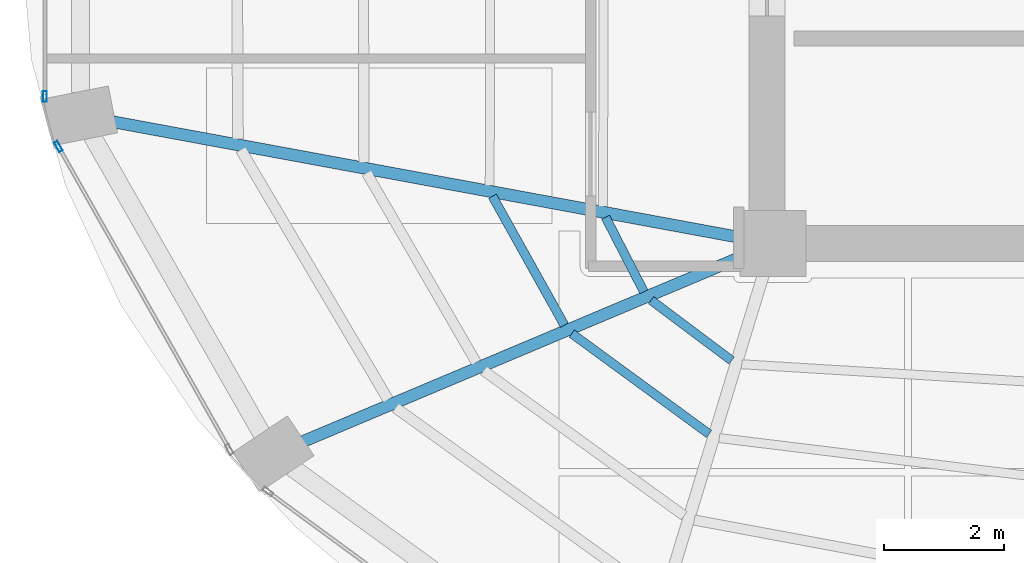
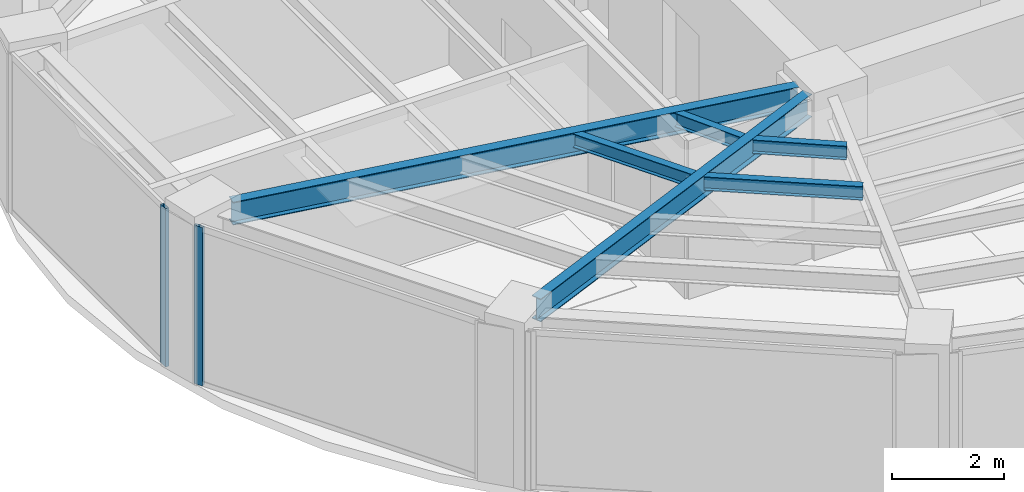
# One storey, part 4 of 22: 6 beams, 2 members, 2 elements without a shape of their own.
"""IFC4 building model written with IfcOpenShell, lengths in metres."""

from ifc_helpers import new_model, si_unit, direction, frame, origin, origin_2d, place, context, subcontext, project, spatial, hollow_rectangle, i_section, extrude, material, layer, layer_set, material_profile, profile_set, type_object, element, aggregate, save


model = new_model("IFC4")

# Units and contexts
model_context = context("Model", 3, precision=1e-05, world=origin(), true_north=direction((0.0, 1.0)))
body_context = subcontext(model_context, "Body", "Model", "MODEL_VIEW")
ifc_project = project(units=[si_unit("LENGTHUNIT", "METRE"), si_unit("AREAUNIT", "SQUARE_METRE"), si_unit("VOLUMEUNIT", "CUBIC_METRE"), si_unit("PLANEANGLEUNIT", "RADIAN"), si_unit("MASSUNIT", "GRAM", prefix="KILO")], contexts=[model_context])

# Site, building, storey
site_placement = place(None, origin())
site = spatial("IfcSite", under=ifc_project, at=site_placement, CompositionType="ELEMENT")
building_placement = place(site_placement, origin())
building = spatial("IfcBuilding", under=site, at=building_placement, Name="Lazwardi Medical Tower", CompositionType="ELEMENT")
storey_placement = place(building_placement, frame((0.0, 0.0, 227.6640625)))
storey = spatial("IfcBuildingStorey", under=building, at=storey_placement, Name="L59", CompositionType="ELEMENT", Elevation=227.6640625)

# Beams
ifc_material_1 = material(Name="Steel S355", Category="steel")
ifc_material_profile_1 = material_profile(ifc_material_1, i_section(OverallWidth=0.199951171875, OverallDepth=0.5, WebThickness=0.01025390625, FlangeThickness=0.01611328125, at=origin_2d()), Name="IPE 500")
ifc_profile_set_1 = profile_set([ifc_material_profile_1], Name="Steel S355")
beam_type_1 = type_object("IfcBeamType", Name="BM-RG-W3", PredefinedType="BEAM", material=ifc_profile_set_1)
beam_1_placement = place(storey_placement, frame((15.341064453125, 22.43994140625, 3.197998046875), z_axis=(0.983409341459, -0.181400295288, 0.0), x_axis=(0.181400295288, 0.983409341459, 0.0)))
element("IfcBeam", 1, at=beam_1_placement, inside=storey, type_object=beam_type_1, Name="Radial girder RG-04 R13 L59", PredefinedType="BEAM", context=body_context, shape_type="SweptSolid", body=[
    extrude(i_section(OverallWidth=0.199951171875, OverallDepth=0.5, WebThickness=0.01025390625, FlangeThickness=0.01611328125, at=origin_2d()), origin(), (0.0, 0.0, 1.0), 10.71044921875),
])
beam_2_placement = place(storey_placement, frame((18.533203125, 17.085205078125, 3.197998046875), z_axis=(0.921526791352, 0.388314785735, 0.0), x_axis=(-0.388314785735, 0.921526791352, 0.0)))
element("IfcBeam", 2, at=beam_2_placement, inside=storey, type_object=beam_type_1, Name="Radial girder RG-04 R14 L59", PredefinedType="BEAM", context=body_context, shape_type="SweptSolid", body=[
    extrude(i_section(OverallWidth=0.199951171875, OverallDepth=0.5, WebThickness=0.01025390625, FlangeThickness=0.01611328125, at=origin_2d()), origin(), (0.0, 0.0, 1.0), 8.001708984375),
])
ifc_material_profile_2 = material_profile(ifc_material_1, i_section(OverallWidth=0.14990234375, OverallDepth=0.300048828125, WebThickness=0.007080078125, FlangeThickness=0.0107421875, at=origin_2d()), Name="IPE 300")
ifc_profile_set_2 = profile_set([ifc_material_profile_2], Name="Steel S355")
beam_type_2 = type_object("IfcBeamType", Name="BM-SJ-03", PredefinedType="JOIST", material=ifc_profile_set_2)
beam_3_placement = place(storey_placement, frame((21.70703125, 21.19140625, 3.2978515625), z_axis=(0.487092942089, -0.873350139272, 0.0), x_axis=(0.873350139272, 0.487092942089, 0.0)))
element("IfcBeam", 3, at=beam_3_placement, inside=storey, type_object=beam_type_2, Name="Secondary joist SJ-03 R3 B13 L59", PredefinedType="JOIST", context=body_context, shape_type="SweptSolid", body=[
    extrude(i_section(OverallWidth=0.14990234375, OverallDepth=0.300048828125, WebThickness=0.007080078125, FlangeThickness=0.0107421875, at=origin_2d()), origin(), (0.0, 0.0, 1.0), 2.471923828125),
])
beam_4_placement = place(storey_placement, frame((23.0341796875, 18.893310546875, 3.2978515625), z_axis=(0.80703431267, -0.59050454543, 0.0), x_axis=(0.59050454543, 0.80703431267, 0.0)))
element("IfcBeam", 4, at=beam_4_placement, inside=storey, type_object=beam_type_2, Name="Secondary joist SJ-03 R3 B14 L59", PredefinedType="JOIST", context=body_context, shape_type="SweptSolid", body=[
    extrude(i_section(OverallWidth=0.14990234375, OverallDepth=0.300048828125, WebThickness=0.007080078125, FlangeThickness=0.0107421875, at=origin_2d()), origin(), (0.0, 0.0, 1.0), 2.846923828125),
])
beam_5_placement = place(storey_placement, frame((23.60009765625, 20.840087890625, 3.2978515625), z_axis=(0.457285056668, -0.889320176848, 0.0), x_axis=(0.889320176848, 0.457285056668, 0.0)))
element("IfcBeam", 5, at=beam_5_placement, inside=storey, type_object=beam_type_2, Name="Secondary joist SJ-03 R4 B13 L59", PredefinedType="JOIST", context=body_context, shape_type="SweptSolid", body=[
    extrude(i_section(OverallWidth=0.14990234375, OverallDepth=0.300048828125, WebThickness=0.007080078125, FlangeThickness=0.0107421875, at=origin_2d()), origin(), (0.0, 0.0, 1.0), 1.402099609375),
])
beam_6_placement = place(storey_placement, frame((24.36083984375, 19.451904296875, 3.2978515625), z_axis=(0.800365301971, -0.599512621553, 0.0), x_axis=(0.599512621553, 0.800365301971, 0.0)))
element("IfcBeam", 6, at=beam_6_placement, inside=storey, type_object=beam_type_2, Name="Secondary joist SJ-03 R4 B14 L59", PredefinedType="JOIST", context=body_context, shape_type="SweptSolid", body=[
    extrude(i_section(OverallWidth=0.14990234375, OverallDepth=0.300048828125, WebThickness=0.007080078125, FlangeThickness=0.0107421875, at=origin_2d()), origin(), (0.0, 0.0, 1.0), 1.68359375),
])

# Curtain wall, member
ifc_material_2 = material(Name="Anodised bronze aluminium and solar control glazing", Category="aluminium")
ifc_layer = layer(ifc_material_2, 0.18994140625)
ifc_layer_set = layer_set([ifc_layer], Name="Anodised bronze aluminium and solar control glazing")
curtain_wall_type = type_object("IfcCurtainWallType", Name="CW-SYS-04", PredefinedType="NOTDEFINED", material=ifc_layer_set)
curtain_wall_1_placement = place(storey_placement, origin())
curtain_wall_1 = element("IfcCurtainWall", 7, at=curtain_wall_1_placement, inside=storey, type_object=curtain_wall_type, Name="L59 Unitised bronze curtain wall CW-04", PredefinedType="NOTDEFINED")
ifc_material_3 = material(Name="Anodised bronze aluminium", Category="aluminium")
ifc_material_profile_3 = material_profile(ifc_material_3, hollow_rectangle(XDim=0.06494140625, YDim=0.179931640625, WallThickness=0.00390625, at=origin_2d()), Name="ALU-MULLION 180x65x4")
ifc_profile_set_3 = profile_set([ifc_material_profile_3], Name="Anodised bronze aluminium")
member_type = type_object("IfcMemberType", Name="CW-MUL-03", PredefinedType="MULLION", material=ifc_profile_set_3)
member_1_placement = place(storey_placement, frame((14.2158203125, 22.859619140625, 0.0), z_axis=(0.0, 0.0, 1.0), x_axis=(1.0, 0.0, 0.0)))
member_1 = element("IfcMember", 8, at=member_1_placement, type_object=member_type, Name="CW-04 mullion 2", PredefinedType="MULLION", context=body_context, shape_type="SweptSolid", body=[
    extrude(hollow_rectangle(XDim=0.06494140625, YDim=0.179931640625, WallThickness=0.00390625, at=origin_2d()), origin(), (0.0, 0.0, 1.0), 3.447998046875),
])
aggregate(curtain_wall_1, [member_1])

curtain_wall_2_placement = place(storey_placement, origin())
curtain_wall_2 = element("IfcCurtainWall", 9, at=curtain_wall_2_placement, inside=storey, type_object=curtain_wall_type, Name="L59 Unitised bronze curtain wall CW-04", PredefinedType="NOTDEFINED")
member_2_placement = place(storey_placement, frame((14.442626953125, 22.021728515625, 0.0), z_axis=(0.0, 0.0, 1.0), x_axis=(0.870651436011, 0.491900474661, 0.0)))
member_2 = element("IfcMember", 10, at=member_2_placement, type_object=member_type, Name="CW-04 mullion 1", PredefinedType="MULLION", context=body_context, shape_type="SweptSolid", body=[
    extrude(hollow_rectangle(XDim=0.06494140625, YDim=0.179931640625, WallThickness=0.00390625, at=origin_2d()), origin(), (0.0, 0.0, 1.0), 3.447998046875),
])
aggregate(curtain_wall_2, [member_2])

save(model, "model.ifc")
